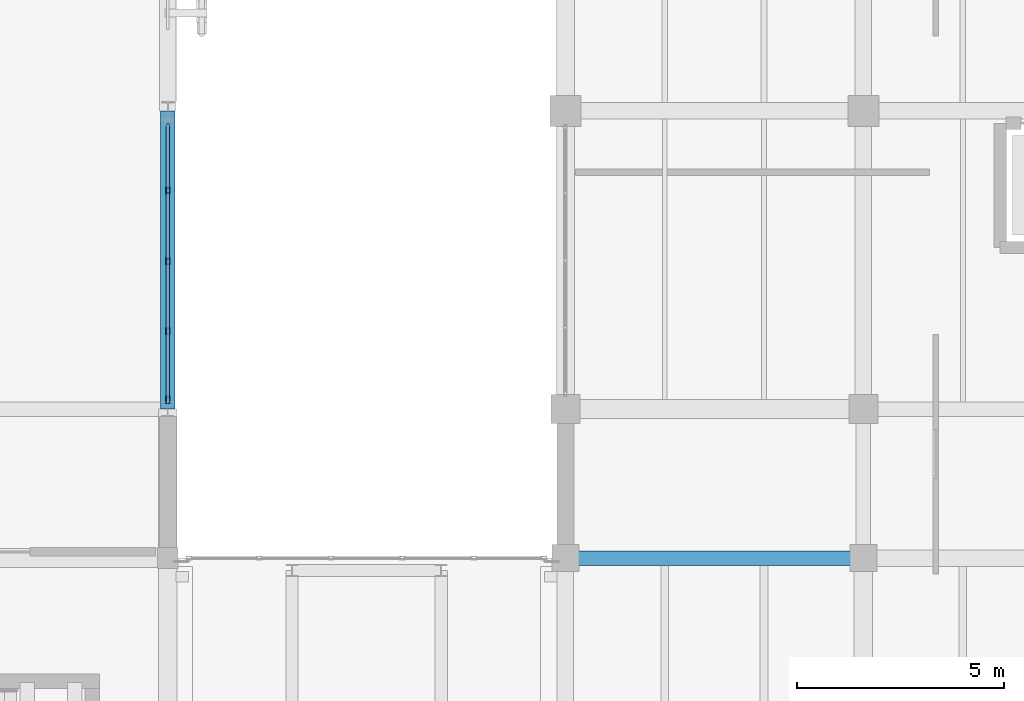
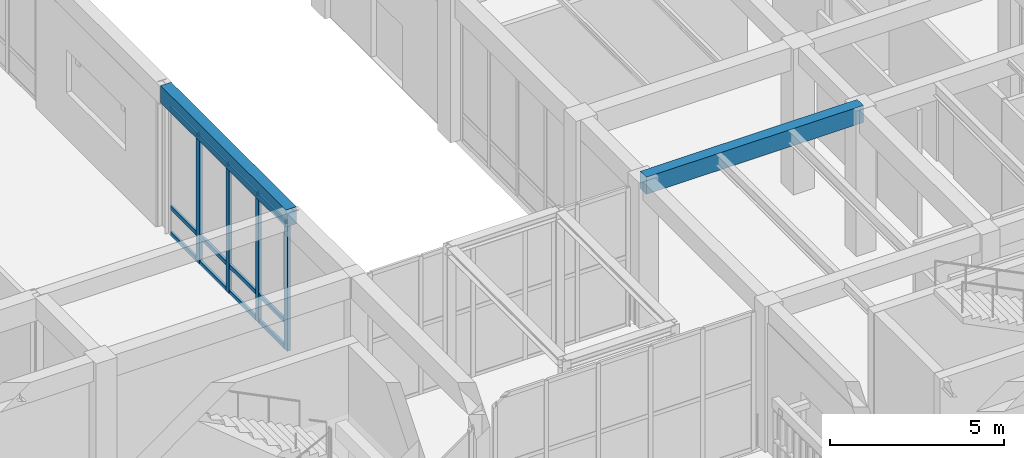
# One storey, part 79 of 169: 16 members, 2 beams, 1 element without a shape of its own.
"""IFC4 building model written with IfcOpenShell, lengths in metres."""

from ifc_helpers import new_model, si_unit, direction, frame, origin, origin_2d, place, context, subcontext, project, spatial, rectangle, hollow_rectangle, extrude, material, layer, layer_set, material_profile, profile_set, type_object, element, aggregate, save


model = new_model("IFC4")

# Units and contexts
model_context = context("Model", 3, precision=1e-05, world=origin(), true_north=direction((0.0, 1.0)))
body_context = subcontext(model_context, "Body", "Model", "MODEL_VIEW")
ifc_project = project(units=[si_unit("LENGTHUNIT", "METRE"), si_unit("AREAUNIT", "SQUARE_METRE"), si_unit("VOLUMEUNIT", "CUBIC_METRE"), si_unit("PLANEANGLEUNIT", "RADIAN"), si_unit("MASSUNIT", "GRAM", prefix="KILO")], contexts=[model_context])

# Site, building, storey
site_placement = place(None, origin())
site = spatial("IfcSite", under=ifc_project, at=site_placement, CompositionType="ELEMENT")
building_placement = place(site_placement, origin())
building = spatial("IfcBuilding", under=site, at=building_placement, Name="Mazaris Harbour Polytechnic", CompositionType="ELEMENT")
storey_placement = place(building_placement, origin())
storey = spatial("IfcBuildingStorey", under=building, at=storey_placement, Name="L00", CompositionType="ELEMENT", Elevation=0.0)

# Curtain wall, members
ifc_material_1 = material(Name="Anodised Bronze Aluminium and Low-E Glass", Category="aluminium")
ifc_layer = layer(ifc_material_1, 0.14990234375, Name="Anodised Bronze Aluminium and Low-E Glass")
ifc_layer_set = layer_set([ifc_layer], Name="Anodised Bronze Aluminium and Low-E Glass")
curtain_wall_type = type_object("IfcCurtainWallType", Name="Workshop Clerestory Curtain Wall", PredefinedType="NOTDEFINED", material=ifc_layer_set)
curtain_wall_placement = place(storey_placement, origin())
curtain_wall = element("IfcCurtainWall", 1, at=curtain_wall_placement, inside=storey, type_object=curtain_wall_type, Name="V1 L00 Curtain Wall 10", PredefinedType="NOTDEFINED")
ifc_material_2 = material(Name="Anodised Bronze Steel S355", Category="steel")
ifc_material_profile_1 = material_profile(ifc_material_2, hollow_rectangle(XDim=0.10009765625, YDim=0.179931640625, WallThickness=0.008056640625, at=origin_2d()), Name="RHS 100x180x8.0")
ifc_profile_set_1 = profile_set([ifc_material_profile_1], Name="Anodised Bronze Steel S355")
member_type_1 = type_object("IfcMemberType", Name="Curtain Mullion RHS100x180", PredefinedType="MULLION", material=ifc_profile_set_1)
member_1_placement = place(storey_placement, frame((112.800048828125, 91.677734375, 0.0), z_axis=(0.0, 0.0, 1.0), x_axis=(1.0, 0.0, 0.0)))
member_1 = element("IfcMember", 2, at=member_1_placement, type_object=member_type_1, Name="CW-04 mullion 2", PredefinedType="MULLION", context=body_context, shape_type="SweptSolid", body=[
    extrude(hollow_rectangle(XDim=0.10009765625, YDim=0.179931640625, WallThickness=0.008056640625, at=origin_2d()), origin(), (0.0, 0.0, 1.0), 4.469970703125),
])
member_2_placement = place(storey_placement, frame((112.800048828125, 89.9775390625, 0.0), z_axis=(0.0, 0.0, 1.0), x_axis=(1.0, 0.0, 0.0)))
member_2 = element("IfcMember", 3, at=member_2_placement, type_object=member_type_1, Name="CW-04 mullion 3", PredefinedType="MULLION", context=body_context, shape_type="SweptSolid", body=[
    extrude(hollow_rectangle(XDim=0.10009765625, YDim=0.179931640625, WallThickness=0.008056640625, at=origin_2d()), origin(), (0.0, 0.0, 1.0), 4.469970703125),
])
member_3_placement = place(storey_placement, frame((112.800048828125, 88.27734375, 0.0), z_axis=(0.0, 0.0, 1.0), x_axis=(1.0, 0.0, 0.0)))
member_3 = element("IfcMember", 4, at=member_3_placement, type_object=member_type_1, Name="CW-04 mullion 4", PredefinedType="MULLION", context=body_context, shape_type="SweptSolid", body=[
    extrude(hollow_rectangle(XDim=0.10009765625, YDim=0.179931640625, WallThickness=0.008056640625, at=origin_2d()), origin(), (0.0, 0.0, 1.0), 4.469970703125),
])
member_4_placement = place(storey_placement, frame((112.800048828125, 86.626953125, 0.0), z_axis=(0.0, 0.0, 1.0), x_axis=(1.0, 0.0, 0.0)))
member_4 = element("IfcMember", 5, at=member_4_placement, type_object=member_type_1, Name="CW-04 mullion 5", PredefinedType="MULLION", context=body_context, shape_type="SweptSolid", body=[
    extrude(hollow_rectangle(XDim=0.10009765625, YDim=0.179931640625, WallThickness=0.008056640625, at=origin_2d()), origin(), (0.0, 0.0, 1.0), 4.469970703125),
])
ifc_material_3 = material(Name="Anodised Bronze Steel S355", Category="steel")
ifc_material_profile_2 = material_profile(ifc_material_3, hollow_rectangle(XDim=0.080078125, YDim=0.139892578125, WallThickness=0.00634765625, at=origin_2d()), Name="RHS 80x140x6.3")
ifc_profile_set_2 = profile_set([ifc_material_profile_2], Name="Anodised Bronze Steel S355")
member_type_2 = type_object("IfcMemberType", Name="Curtain Transom RHS80x140", PredefinedType="USERDEFINED", material=ifc_profile_set_2)
member_5_placement = place(storey_placement, frame((112.800048828125, 93.278076171875, 0.0400390625), z_axis=(0.0, -1.0, 0.0), x_axis=(1.0, 0.0, 0.0)))
member_5 = element("IfcMember", 6, at=member_5_placement, type_object=member_type_2, Name="CW-04 transom 1.1", ObjectType="TRANSOM", PredefinedType="USERDEFINED", context=body_context, shape_type="SweptSolid", body=[
    extrude(hollow_rectangle(XDim=0.080078125, YDim=0.139892578125, WallThickness=0.00634765625, at=origin_2d()), origin(), (0.0, 0.0, 1.0), 1.55029296875),
])
member_6_placement = place(storey_placement, frame((112.800048828125, 93.278076171875, 0.949951171875), z_axis=(0.0, -1.0, 0.0), x_axis=(1.0, 0.0, 0.0)))
member_6 = element("IfcMember", 7, at=member_6_placement, type_object=member_type_2, Name="CW-04 transom 1.2", ObjectType="TRANSOM", PredefinedType="USERDEFINED", context=body_context, shape_type="SweptSolid", body=[
    extrude(hollow_rectangle(XDim=0.080078125, YDim=0.139892578125, WallThickness=0.00634765625, at=origin_2d()), origin(), (0.0, 0.0, 1.0), 1.55029296875),
])
member_7_placement = place(storey_placement, frame((112.800048828125, 93.278076171875, 4.429931640625), z_axis=(0.0, -1.0, 0.0), x_axis=(1.0, 0.0, 0.0)))
member_7 = element("IfcMember", 8, at=member_7_placement, type_object=member_type_2, Name="CW-04 transom 1.3", ObjectType="TRANSOM", PredefinedType="USERDEFINED", context=body_context, shape_type="SweptSolid", body=[
    extrude(hollow_rectangle(XDim=0.080078125, YDim=0.139892578125, WallThickness=0.00634765625, at=origin_2d()), origin(), (0.0, 0.0, 1.0), 1.55029296875),
])
member_8_placement = place(storey_placement, frame((112.800048828125, 91.627685546875, 0.0400390625), z_axis=(0.0, -1.0, 0.0), x_axis=(1.0, 0.0, 0.0)))
member_8 = element("IfcMember", 9, at=member_8_placement, type_object=member_type_2, Name="CW-04 transom 2.1", ObjectType="TRANSOM", PredefinedType="USERDEFINED", context=body_context, shape_type="SweptSolid", body=[
    extrude(hollow_rectangle(XDim=0.080078125, YDim=0.139892578125, WallThickness=0.00634765625, at=origin_2d()), origin(), (0.0, 0.0, 1.0), 1.60009765625),
])
member_9_placement = place(storey_placement, frame((112.800048828125, 91.627685546875, 0.949951171875), z_axis=(0.0, -1.0, 0.0), x_axis=(1.0, 0.0, 0.0)))
member_9 = element("IfcMember", 10, at=member_9_placement, type_object=member_type_2, Name="CW-04 transom 2.2", ObjectType="TRANSOM", PredefinedType="USERDEFINED", context=body_context, shape_type="SweptSolid", body=[
    extrude(hollow_rectangle(XDim=0.080078125, YDim=0.139892578125, WallThickness=0.00634765625, at=origin_2d()), origin(), (0.0, 0.0, 1.0), 1.60009765625),
])
member_10_placement = place(storey_placement, frame((112.800048828125, 91.627685546875, 4.429931640625), z_axis=(0.0, -1.0, 0.0), x_axis=(1.0, 0.0, 0.0)))
member_10 = element("IfcMember", 11, at=member_10_placement, type_object=member_type_2, Name="CW-04 transom 2.3", ObjectType="TRANSOM", PredefinedType="USERDEFINED", context=body_context, shape_type="SweptSolid", body=[
    extrude(hollow_rectangle(XDim=0.080078125, YDim=0.139892578125, WallThickness=0.00634765625, at=origin_2d()), origin(), (0.0, 0.0, 1.0), 1.60009765625),
])
member_11_placement = place(storey_placement, frame((112.800048828125, 89.927490234375, 0.0400390625), z_axis=(0.0, -1.0, 0.0), x_axis=(1.0, 0.0, 0.0)))
member_11 = element("IfcMember", 12, at=member_11_placement, type_object=member_type_2, Name="CW-04 transom 3.1", ObjectType="TRANSOM", PredefinedType="USERDEFINED", context=body_context, shape_type="SweptSolid", body=[
    extrude(hollow_rectangle(XDim=0.080078125, YDim=0.139892578125, WallThickness=0.00634765625, at=origin_2d()), origin(), (0.0, 0.0, 1.0), 1.600341796875),
])
member_12_placement = place(storey_placement, frame((112.800048828125, 89.927490234375, 0.949951171875), z_axis=(0.0, -1.0, 0.0), x_axis=(1.0, 0.0, 0.0)))
member_12 = element("IfcMember", 13, at=member_12_placement, type_object=member_type_2, Name="CW-04 transom 3.2", ObjectType="TRANSOM", PredefinedType="USERDEFINED", context=body_context, shape_type="SweptSolid", body=[
    extrude(hollow_rectangle(XDim=0.080078125, YDim=0.139892578125, WallThickness=0.00634765625, at=origin_2d()), origin(), (0.0, 0.0, 1.0), 1.600341796875),
])
member_13_placement = place(storey_placement, frame((112.800048828125, 89.927490234375, 4.429931640625), z_axis=(0.0, -1.0, 0.0), x_axis=(1.0, 0.0, 0.0)))
member_13 = element("IfcMember", 14, at=member_13_placement, type_object=member_type_2, Name="CW-04 transom 3.3", ObjectType="TRANSOM", PredefinedType="USERDEFINED", context=body_context, shape_type="SweptSolid", body=[
    extrude(hollow_rectangle(XDim=0.080078125, YDim=0.139892578125, WallThickness=0.00634765625, at=origin_2d()), origin(), (0.0, 0.0, 1.0), 1.600341796875),
])
member_14_placement = place(storey_placement, frame((112.800048828125, 88.227294921875, 0.0400390625), z_axis=(0.0, -1.0, 0.0), x_axis=(1.0, 0.0, 0.0)))
member_14 = element("IfcMember", 15, at=member_14_placement, type_object=member_type_2, Name="CW-04 transom 4.1", ObjectType="TRANSOM", PredefinedType="USERDEFINED", context=body_context, shape_type="SweptSolid", body=[
    extrude(hollow_rectangle(XDim=0.080078125, YDim=0.139892578125, WallThickness=0.00634765625, at=origin_2d()), origin(), (0.0, 0.0, 1.0), 1.55029296875),
])
member_15_placement = place(storey_placement, frame((112.800048828125, 88.227294921875, 0.949951171875), z_axis=(0.0, -1.0, 0.0), x_axis=(1.0, 0.0, 0.0)))
member_15 = element("IfcMember", 16, at=member_15_placement, type_object=member_type_2, Name="CW-04 transom 4.2", ObjectType="TRANSOM", PredefinedType="USERDEFINED", context=body_context, shape_type="SweptSolid", body=[
    extrude(hollow_rectangle(XDim=0.080078125, YDim=0.139892578125, WallThickness=0.00634765625, at=origin_2d()), origin(), (0.0, 0.0, 1.0), 1.55029296875),
])
member_16_placement = place(storey_placement, frame((112.800048828125, 88.227294921875, 4.429931640625), z_axis=(0.0, -1.0, 0.0), x_axis=(1.0, 0.0, 0.0)))
member_16 = element("IfcMember", 17, at=member_16_placement, type_object=member_type_2, Name="CW-04 transom 4.3", ObjectType="TRANSOM", PredefinedType="USERDEFINED", context=body_context, shape_type="SweptSolid", body=[
    extrude(hollow_rectangle(XDim=0.080078125, YDim=0.139892578125, WallThickness=0.00634765625, at=origin_2d()), origin(), (0.0, 0.0, 1.0), 1.55029296875),
])
aggregate(curtain_wall, [member_1, member_2, member_3, member_4, member_5, member_6, member_7, member_8, member_9, member_10, member_11, member_12, member_13, member_14, member_15, member_16])

# Beams
ifc_material_4 = material(Name="Concrete C35/45", Category="concrete")
ifc_material_profile_3 = material_profile(ifc_material_4, rectangle(XDim=0.35009765625, YDim=0.60009765625, at=origin_2d()), Name="RECT350x600")
ifc_profile_set_3 = profile_set([ifc_material_profile_3], Name="Concrete C35/45")
beam_type_1 = type_object("IfcBeamType", Name="RC Girder 350x600", PredefinedType="BEAM", material=ifc_profile_set_3)
beam_1_placement = place(storey_placement, frame((122.39990234375, 82.800048828125, 4.800048828125), z_axis=(1.0, 0.0, 0.0), x_axis=(0.0, 1.0, 0.0)))
element("IfcBeam", 18, at=beam_1_placement, inside=storey, type_object=beam_type_1, Name="V5 L00 Girder 2725", PredefinedType="BEAM", context=body_context, shape_type="SweptSolid", body=[
    extrude(rectangle(XDim=0.35009765625, YDim=0.60009765625, at=origin_2d()), origin(), (0.0, 0.0, 1.0), 7.2001953125),
])
ifc_material_5 = material(Name="Concrete C35/45", Category="concrete")
ifc_material_profile_4 = material_profile(ifc_material_5, rectangle(XDim=0.35009765625, YDim=0.60009765625, at=origin_2d()), Name="RECT350x600")
ifc_profile_set_4 = profile_set([ifc_material_profile_4], Name="Concrete C35/45")
beam_type_2 = type_object("IfcBeamType", Name="RC Girder 350x600 Exterior", PredefinedType="BEAM", material=ifc_profile_set_4)
beam_2_placement = place(storey_placement, frame((112.800048828125, 86.39990234375, 4.780029296875), z_axis=(0.0, 1.0, 0.0), x_axis=(-1.0, 0.0, 0.0)))
element("IfcBeam", 19, at=beam_2_placement, inside=storey, type_object=beam_type_2, Name="V1 L00 Tie Girder 220", PredefinedType="BEAM", context=body_context, shape_type="SweptSolid", body=[
    extrude(rectangle(XDim=0.35009765625, YDim=0.60009765625, at=origin_2d()), origin(), (0.0, 0.0, 1.0), 7.2001953125),
])

save(model, "model.ifc")
